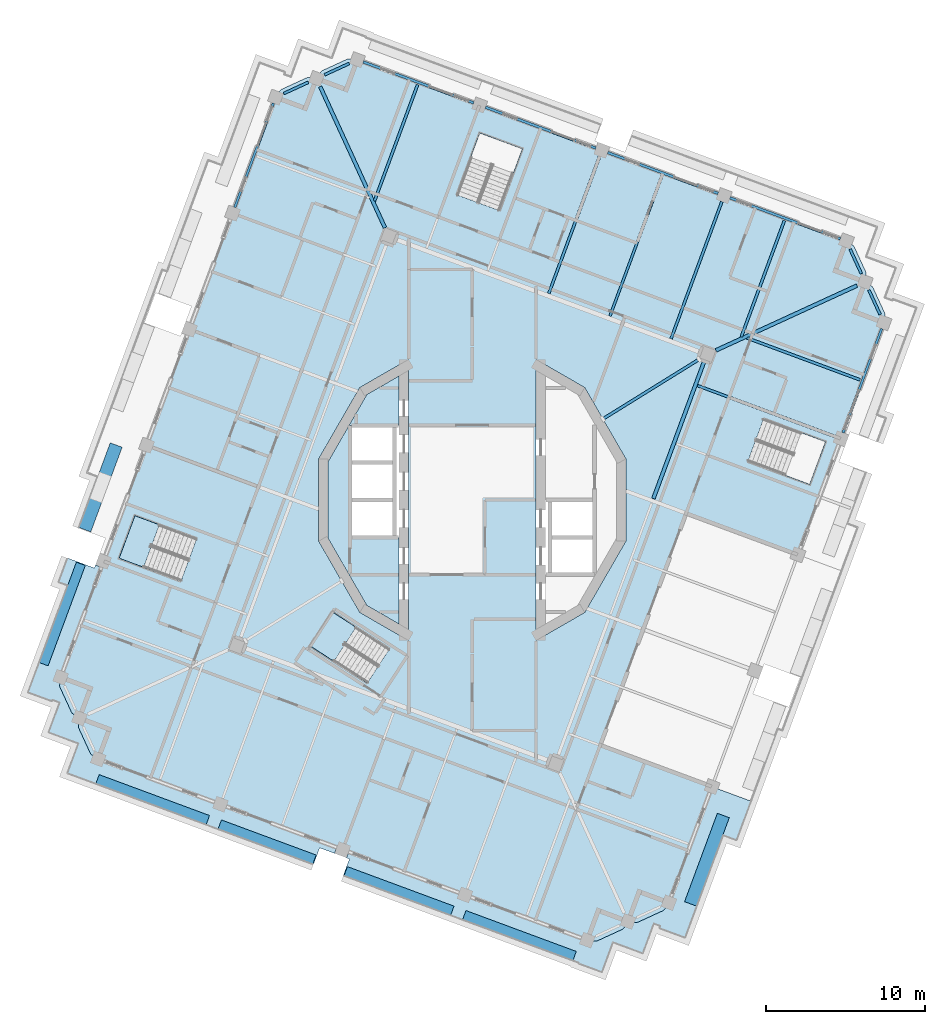
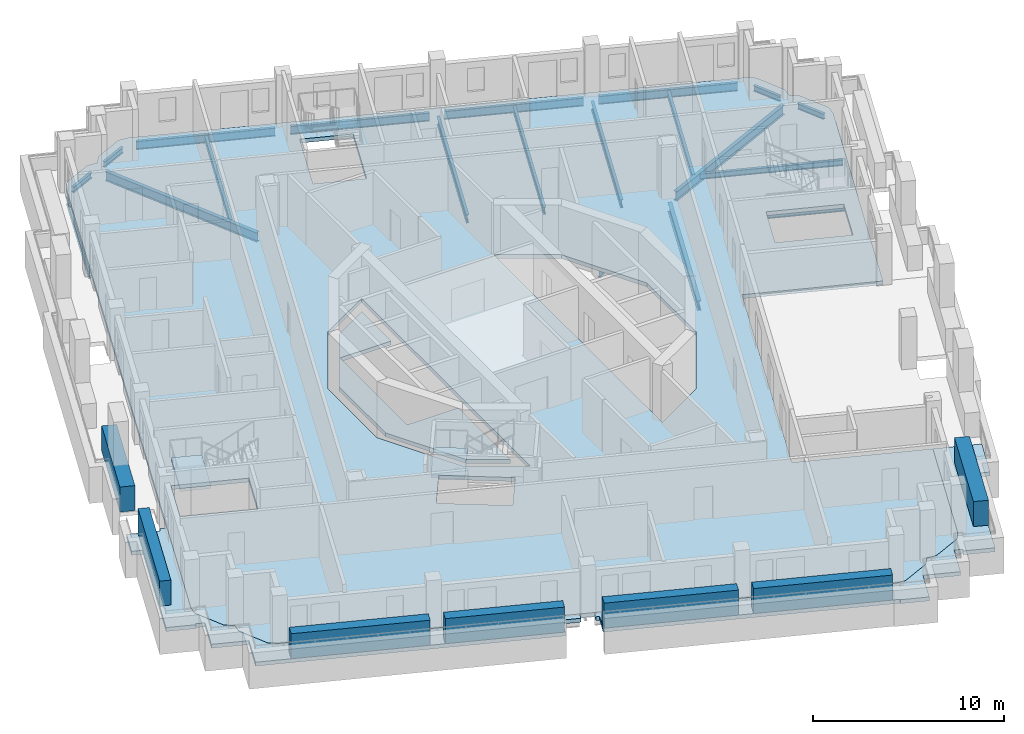
# One storey, part 2 of 19: 21 beams, 7 plates, 6 slabs, 2 elements without a shape of their own.
"""IFC4 building model written with IfcOpenShell, lengths in metres."""

from ifc_helpers import new_model, si_unit, direction, frame, origin, origin_2d, place, context, subcontext, project, spatial, polyline, rectangle, i_section, outline, extrude, material, layer, layer_set, material_profile, profile_set, type_object, element, aggregate, save


model = new_model("IFC4")

# Units and contexts
model_context = context("Model", 3, precision=1e-05, world=origin(), true_north=direction((0.0, 1.0)))
body_context = subcontext(model_context, "Body", "Model", "MODEL_VIEW")
ifc_project = project(units=[si_unit("LENGTHUNIT", "METRE"), si_unit("AREAUNIT", "SQUARE_METRE"), si_unit("VOLUMEUNIT", "CUBIC_METRE"), si_unit("PLANEANGLEUNIT", "RADIAN"), si_unit("MASSUNIT", "GRAM", prefix="KILO")], contexts=[model_context])

# Site, building, storey
site_placement = place(None, origin())
site = spatial("IfcSite", under=ifc_project, at=site_placement, CompositionType="ELEMENT")
building_placement = place(site_placement, origin())
building = spatial("IfcBuilding", under=site, at=building_placement, Name="Cantera Rosa Tower", CompositionType="ELEMENT")
storey_placement = place(building_placement, frame((0.0, 0.0, 327.699951171875)))
storey = spatial("IfcBuildingStorey", under=building, at=storey_placement, Name="L73", CompositionType="ELEMENT", Elevation=327.699951171875)

# Beams
ifc_material_1 = material(Name="Steel ASTM A992 (Fy 345 MPa)", Category="steel")
ifc_material_profile_1 = material_profile(ifc_material_1, i_section(OverallWidth=0.177978515625, OverallDepth=0.406005859375, WebThickness=0.0078125, FlangeThickness=0.0126953125, FilletRadius=0.01025390625, at=origin_2d()), Name="W410X60")
ifc_profile_set_1 = profile_set([ifc_material_profile_1], Name="Steel ASTM A992 (Fy 345 MPa)")
beam_type_1 = type_object("IfcBeamType", Name="STEEL BEAM W410X60", PredefinedType="BEAM", material=ifc_profile_set_1)
beam_1_placement = place(storey_placement, frame((14.262451171875, 8.84521484375, -0.452880859375), z_axis=(-0.849840939707, -0.527039255841, 0.0), x_axis=(0.527039255841, -0.849840939707, 0.0)))
element("IfcBeam", 1, at=beam_1_placement, inside=storey, type_object=beam_type_1, Name="PG-Z6-02 L73", PredefinedType="BEAM", context=body_context, shape_type="SweptSolid", body=[
    extrude(i_section(OverallWidth=0.177978515625, OverallDepth=0.406005859375, WebThickness=0.0078125, FlangeThickness=0.0126953125, FilletRadius=0.01025390625, at=origin_2d()), origin(), (0.0, 0.0, 1.0), 7.118408203125),
])
ifc_material_2 = material(Name="Steel ASTM A992 (Fy 345 MPa)", Category="steel")
ifc_material_profile_2 = material_profile(ifc_material_2, i_section(OverallWidth=0.166015625, OverallDepth=0.528076171875, WebThickness=0.009765625, FlangeThickness=0.013671875, FilletRadius=0.0126953125, at=origin_2d()), Name="W530X74")
ifc_profile_set_2 = profile_set([ifc_material_profile_2], Name="Steel ASTM A992 (Fy 345 MPa)")
beam_type_2 = type_object("IfcBeamType", Name="STEEL BEAM W530X74", PredefinedType="BEAM", material=ifc_profile_set_2)
for number, where, z_axis, x_axis, name in (
    (2, (15.698486328125, 18.764404296875, -0.513916015625), (-0.347476838353, -0.937688566, 0.0), (0.937688566, -0.347476838353, 0.0), "G-Z6-01 L73"),
    (3, (8.009521484375, 21.61376953125, -0.513916015625), (-0.34750017104, -0.937679919337, 0.0), (0.937679919337, -0.34750017104, 0.0), "G-Z6-02 L73"),
    (4, (22.808837890625, 3.9931640625, -0.513916015625), (-0.937688566, 0.347476838353, 0.0), (-0.347476838353, -0.937688566, 0.0), "G-Z6-11 L73"),
):
    element("IfcBeam", number, at=place(storey_placement, frame(where, z_axis=z_axis, x_axis=x_axis)), inside=storey, type_object=beam_type_2, Name=name, PredefinedType="BEAM", context=body_context, shape_type="SweptSolid", body=[
        extrude(i_section(OverallWidth=0.166015625, OverallDepth=0.528076171875, WebThickness=0.009765625, FlangeThickness=0.013671875, FilletRadius=0.0126953125, at=origin_2d()), origin(), (0.0, 0.0, 1.0), 9.199951171875),
    ])
ifc_material_3 = material(Name="Steel ASTM A992 (Fy 345 MPa)", Category="steel")
ifc_material_profile_3 = material_profile(ifc_material_3, i_section(OverallWidth=0.22802734375, OverallDepth=0.60205078125, WebThickness=0.010498046875, FlangeThickness=0.014892578125, FilletRadius=0.0126953125, at=origin_2d()), Name="W610X101")
ifc_profile_set_3 = profile_set([ifc_material_profile_3], Name="Steel ASTM A992 (Fy 345 MPa)")
beam_type_3 = type_object("IfcBeamType", Name="STEEL BEAM W610X101", PredefinedType="BEAM", material=ifc_profile_set_3)
for number, where, z_axis, x_axis, name in (
    (5, (-9.56396484375, 25.992919921875, -0.551025390625), (0.417345508131, -0.908747889595, 0.0), (0.908747889595, 0.417345508131, 0.0), "CB-Z6-01 L73"),
    (6, (24.19287109375, 13.483642578125, -0.551025390625), (-0.908747889595, -0.417345508131, 0.0), (0.417345508131, -0.908747889595, 0.0), "CB-Z6-04 L73"),
):
    element("IfcBeam", number, at=place(storey_placement, frame(where, z_axis=z_axis, x_axis=x_axis)), inside=storey, type_object=beam_type_3, Name=name, PredefinedType="BEAM", context=body_context, shape_type="SweptSolid", body=[
        extrude(i_section(OverallWidth=0.22802734375, OverallDepth=0.60205078125, WebThickness=0.010498046875, FlangeThickness=0.014892578125, FilletRadius=0.0126953125, at=origin_2d()), origin(), (0.0, 0.0, 1.0), 9.758056640625),
    ])
beam_2_placement = place(storey_placement, frame((11.39013671875, 0.087646484375, -0.551025390625), z_axis=(0.347498244979, 0.937680633125, 0.0), x_axis=(-0.937680633125, 0.347498244979, 0.0)))
element("IfcBeam", 7, at=beam_2_placement, inside=storey, type_object=beam_type_3, Name="RB-Z6-06 L73", PredefinedType="BEAM", context=body_context, shape_type="SweptSolid", body=[
    extrude(i_section(OverallWidth=0.22802734375, OverallDepth=0.60205078125, WebThickness=0.010498046875, FlangeThickness=0.014892578125, FilletRadius=0.0126953125, at=origin_2d()), origin(), (0.0, 0.0, 1.0), 9.2099609375),
])
ifc_material_4 = material(Name="Steel ASTM A992 (Fy 345 MPa)", Category="steel")
ifc_material_profile_4 = material_profile(ifc_material_4, i_section(OverallWidth=0.1708984375, OverallDepth=0.35595703125, WebThickness=0.00732421875, FlangeThickness=0.01171875, FilletRadius=0.010009765625, at=origin_2d()), Name="W360X51")
ifc_profile_set_4 = profile_set([ifc_material_profile_4], Name="Steel ASTM A992 (Fy 345 MPa)")
beam_type_4 = type_object("IfcBeamType", Name="STEEL JOIST W360X51", PredefinedType="JOIST", material=ifc_profile_set_4)
for number, where, z_axis, x_axis, name in (
    (8, (19.6298828125, 17.573974609375, -0.427978515625), (-0.347491728417, -0.937683048093, 0.0), (0.937683048093, -0.347491728417, 0.0), "B-Z6-01 L73"),
    (9, (-3.437255859375, 26.1220703125, -0.427978515625), (-0.347491728417, -0.937683048093, 0.0), (0.937683048093, -0.347491728417, 0.0), "B-Z6-04 L73"),
):
    element("IfcBeam", number, at=place(storey_placement, frame(where, z_axis=z_axis, x_axis=x_axis)), inside=storey, type_object=beam_type_4, Name=name, PredefinedType="JOIST", context=body_context, shape_type="SweptSolid", body=[
        extrude(i_section(OverallWidth=0.1708984375, OverallDepth=0.35595703125, WebThickness=0.00732421875, FlangeThickness=0.01171875, FilletRadius=0.010009765625, at=origin_2d()), origin(), (0.0, 0.0, 1.0), 7.800048828125),
    ])
beam_3_placement = place(storey_placement, frame((24.39501953125, 7.553955078125, -0.427978515625), z_axis=(-0.937686277131, 0.347483014951, 0.0), x_axis=(-0.347483014951, -0.937686277131, 0.0)))
element("IfcBeam", 10, at=beam_3_placement, inside=storey, type_object=beam_type_4, Name="B-Z6-14 L73", PredefinedType="JOIST", context=body_context, shape_type="SweptSolid", body=[
    extrude(i_section(OverallWidth=0.1708984375, OverallDepth=0.35595703125, WebThickness=0.00732421875, FlangeThickness=0.01171875, FilletRadius=0.010009765625, at=origin_2d()), origin(), (0.0, 0.0, 1.0), 7.590087890625),
])
ifc_material_5 = material(Name="Steel ASTM A992 (Fy 345 MPa)", Category="steel")
ifc_material_profile_5 = material_profile(ifc_material_5, i_section(OverallWidth=0.154052734375, OverallDepth=0.4599609375, WebThickness=0.009033203125, FlangeThickness=0.015380859375, FilletRadius=0.01025390625, at=origin_2d()), Name="W460X68")
ifc_profile_set_5 = profile_set([ifc_material_profile_5], Name="Steel ASTM A992 (Fy 345 MPa)")
beam_type_5 = type_object("IfcBeamType", Name="STEEL JOIST W460X68", PredefinedType="JOIST", material=ifc_profile_set_5)
beam_4_placement = place(storey_placement, frame((11.94091796875, 20.42333984375, -0.47998046875), z_axis=(-0.347482637031, -0.937686417179, 0.0), x_axis=(0.937686417179, -0.347482637031, 0.0)))
element("IfcBeam", 11, at=beam_4_placement, inside=storey, type_object=beam_type_5, Name="B-Z6-02 L73", PredefinedType="JOIST", context=body_context, shape_type="SweptSolid", body=[
    extrude(i_section(OverallWidth=0.154052734375, OverallDepth=0.4599609375, WebThickness=0.009033203125, FlangeThickness=0.015380859375, FilletRadius=0.01025390625, at=origin_2d()), origin(), (0.0, 0.0, 1.0), 9.449951171875),
])
ifc_material_6 = material(Name="Steel ASTM A992 (Fy 345 MPa)", Category="steel")
ifc_material_profile_6 = material_profile(ifc_material_6, i_section(OverallWidth=0.1708984375, OverallDepth=0.35595703125, WebThickness=0.00732421875, FlangeThickness=0.01171875, FilletRadius=0.010009765625, at=origin_2d()), Name="W360X51")
ifc_profile_set_6 = profile_set([ifc_material_profile_6], Name="Steel ASTM A992 (Fy 345 MPa)")
beam_type_6 = type_object("IfcBeamType", Name="STEEL SPANDREL BEAM W360X51", PredefinedType="SPANDREL", material=ifc_profile_set_6)
for number, where, z_axis, x_axis, name in (
    (12, (-7.74365234375, 27.451416015625, -0.427978515625), (-0.908753529973, -0.417333226286, 0.0), (0.417333226286, -0.908753529973, 0.0), "EB-Z6-05 L73"),
    (13, (-10.31396484375, 26.27099609375, -0.427978515625), (-0.908753529973, -0.417333226286, 0.0), (0.417333226286, -0.908753529973, 0.0), "EB-Z6-06 L73"),
):
    element("IfcBeam", number, at=place(storey_placement, frame(where, z_axis=z_axis, x_axis=x_axis)), inside=storey, type_object=beam_type_6, Name=name, PredefinedType="SPANDREL", context=body_context, shape_type="SweptSolid", body=[
        extrude(i_section(OverallWidth=0.1708984375, OverallDepth=0.35595703125, WebThickness=0.00732421875, FlangeThickness=0.01171875, FilletRadius=0.010009765625, at=origin_2d()), origin(), (0.0, 0.0, 1.0), 1.697021484375),
    ])
for number, where, z_axis, x_axis, name in (
    (14, (25.651123046875, 11.66357421875, -0.427978515625), (-0.417268968709, 0.908783036677, 0.0), (-0.908783036677, -0.417268968709, 0.0), "EB-Z6-25 L73"),
    (15, (24.470947265625, 14.23388671875, -0.427978515625), (-0.417387791404, 0.908728469669, 0.0), (-0.908728469669, -0.417387791404, 0.0), "EB-Z6-26 L73"),
):
    element("IfcBeam", number, at=place(storey_placement, frame(where, z_axis=z_axis, x_axis=x_axis)), inside=storey, type_object=beam_type_6, Name=name, PredefinedType="SPANDREL", context=body_context, shape_type="SweptSolid", body=[
        extrude(i_section(OverallWidth=0.1708984375, OverallDepth=0.35595703125, WebThickness=0.00732421875, FlangeThickness=0.01171875, FilletRadius=0.010009765625, at=origin_2d()), origin(), (0.0, 0.0, 1.0), 1.69677734375),
    ])
ifc_material_7 = material(Name="Steel ASTM A992 (Fy 345 MPa)", Category="steel")
ifc_material_profile_7 = material_profile(ifc_material_7, i_section(OverallWidth=0.154052734375, OverallDepth=0.4599609375, WebThickness=0.009033203125, FlangeThickness=0.015380859375, FilletRadius=0.01025390625, at=origin_2d()), Name="W460X68")
ifc_profile_set_7 = profile_set([ifc_material_profile_7], Name="Steel ASTM A992 (Fy 345 MPa)")
beam_type_7 = type_object("IfcBeamType", Name="STEEL SPANDREL BEAM W460X68", PredefinedType="SPANDREL", material=ifc_profile_set_7)
beam_5_placement = place(storey_placement, frame((-12.50927734375, 24.95166015625, -0.47998046875), z_axis=(-0.347490919506, -0.937683347864, 0.0), x_axis=(0.937683347864, -0.347490919506, 0.0)))
element("IfcBeam", 16, at=beam_5_placement, inside=storey, type_object=beam_type_7, Name="EB-Z6-07 L73", PredefinedType="SPANDREL", context=body_context, shape_type="SweptSolid", body=[
    extrude(i_section(OverallWidth=0.154052734375, OverallDepth=0.4599609375, WebThickness=0.009033203125, FlangeThickness=0.015380859375, FilletRadius=0.01025390625, at=origin_2d()), origin(), (0.0, 0.0, 1.0), 6.980224609375),
])
beam_6_placement = place(storey_placement, frame((23.322998046875, 4.229248046875, -0.47998046875), z_axis=(0.347460165909, 0.937694744097, 0.0), x_axis=(-0.937694744097, 0.347460165909, 0.0)))
element("IfcBeam", 17, at=beam_6_placement, inside=storey, type_object=beam_type_7, Name="EB-Z6-24 L73", PredefinedType="SPANDREL", context=body_context, shape_type="SweptSolid", body=[
    extrude(i_section(OverallWidth=0.154052734375, OverallDepth=0.4599609375, WebThickness=0.009033203125, FlangeThickness=0.015380859375, FilletRadius=0.01025390625, at=origin_2d()), origin(), (0.0, 0.0, 1.0), 6.97998046875),
])
ifc_material_8 = material(Name="Steel ASTM A992 (Fy 345 MPa)", Category="steel")
ifc_material_profile_8 = material_profile(ifc_material_8, i_section(OverallWidth=0.166015625, OverallDepth=0.528076171875, WebThickness=0.009765625, FlangeThickness=0.013671875, FilletRadius=0.0126953125, at=origin_2d()), Name="W530X74")
ifc_profile_set_8 = profile_set([ifc_material_profile_8], Name="Steel ASTM A992 (Fy 345 MPa)")
beam_type_8 = type_object("IfcBeamType", Name="STEEL SPANDREL BEAM W530X74", PredefinedType="SPANDREL", material=ifc_profile_set_8)
beam_7_placement = place(storey_placement, frame((23.1513671875, 16.428955078125, -0.513916015625), z_axis=(-0.937676706507, 0.347508840281, 0.0), x_axis=(-0.347508840281, -0.937676706507, 0.0)))
element("IfcBeam", 18, at=beam_7_placement, inside=storey, type_object=beam_type_8, Name="EB-Z6-01 L73", PredefinedType="SPANDREL", context=body_context, shape_type="SweptSolid", body=[
    extrude(i_section(OverallWidth=0.166015625, OverallDepth=0.528076171875, WebThickness=0.009765625, FlangeThickness=0.013671875, FilletRadius=0.0126953125, at=origin_2d()), origin(), (0.0, 0.0, 1.0), 7.39990234375),
])
for number, where, z_axis, x_axis, name in (
    (19, (15.46240234375, 19.2783203125, -0.513916015625), (-0.937680690562, 0.34749808999, 0.0), (-0.34749808999, -0.937680690562, 0.0), "EB-Z6-02 L73"),
    (20, (7.7734375, 22.127685546875, -0.513916015625), (-0.937680690562, 0.34749808999, 0.0), (-0.34749808999, -0.937680690562, 0.0), "EB-Z6-03 L73"),
):
    element("IfcBeam", number, at=place(storey_placement, frame(where, z_axis=z_axis, x_axis=x_axis)), inside=storey, type_object=beam_type_8, Name=name, PredefinedType="SPANDREL", context=body_context, shape_type="SweptSolid", body=[
        extrude(i_section(OverallWidth=0.166015625, OverallDepth=0.528076171875, WebThickness=0.009765625, FlangeThickness=0.013671875, FilletRadius=0.0126953125, at=origin_2d()), origin(), (0.0, 0.0, 1.0), 7.400146484375),
    ])
beam_8_placement = place(storey_placement, frame((0.084228515625, 24.97705078125, -0.513916015625), z_axis=(-0.937687456783, 0.347479831633, 0.0), x_axis=(-0.347479831633, -0.937687456783, 0.0)))
element("IfcBeam", 21, at=beam_8_placement, inside=storey, type_object=beam_type_8, Name="EB-Z6-04 L73", PredefinedType="SPANDREL", context=body_context, shape_type="SweptSolid", body=[
    extrude(i_section(OverallWidth=0.166015625, OverallDepth=0.528076171875, WebThickness=0.009765625, FlangeThickness=0.013671875, FilletRadius=0.0126953125, at=origin_2d()), origin(), (0.0, 0.0, 1.0), 7.39990234375),
])

# Slabs
ifc_material_9 = material(Name="Concrete C35/45", Category="concrete")
ifc_layer_1 = layer(ifc_material_9, 0.25)
ifc_layer_set_1 = layer_set([ifc_layer_1], Name="COMPOSITE FLOOR SLAB 250 C35/45")
slab_type_1 = type_object("IfcSlabType", Name="COMPOSITE FLOOR SLAB 250 C35/45", PredefinedType="FLOOR", material=ifc_layer_set_1)
slab_1_placement = place(storey_placement, frame((0.0, 0.0, -0.25)))
element("IfcSlab", 22, at=slab_1_placement, inside=storey, type_object=slab_type_1, Name="SLAB L73 floor 1", PredefinedType="FLOOR", context=body_context, shape_type="SweptSolid", body=[
    extrude(outline(polyline([(-4.60009765625, -7.804931640625), (-6.6318359375, -6.6318359375), (-9.059326171875, -2.427490234375), (-9.059326171875, 2.427490234375), (-6.6318359375, 6.6318359375), (-4.60009765625, 7.804931640625), (-4.60009765625, 4.699951171875), (-7.699951171875, 4.699951171875), (-7.699951171875, 2.35009765625), (-7.699951171875, 0.0), (-7.699951171875, -2.35009765625), (-4.60009765625, -2.35009765625), (-4.60009765625, -7.804931640625)])), origin(), (0.0, 0.0, 1.0), 0.25),
])
slab_2_placement = place(storey_placement, frame((0.0, 0.0, -0.25)))
element("IfcSlab", 23, at=slab_2_placement, inside=storey, type_object=slab_type_1, Name="SLAB L73 floor 2", PredefinedType="FLOOR", context=body_context, shape_type="SweptSolid", body=[
    extrude(outline(polyline([(-23.944091796875, -16.014892578125), (-23.966552734375, -15.99609375), (-23.987060546875, -15.974853515625), (-24.005615234375, -15.951904296875), (-24.021484375, -15.92724609375), (-24.03515625, -15.901123046875), (-24.743408203125, -14.35888671875), (-24.75439453125, -14.331787109375), (-24.7626953125, -14.303466796875), (-24.76806640625, -14.2744140625), (-24.7705078125, -14.2451171875), (-24.770263671875, -14.2158203125), (-24.76708984375, -14.186279296875), (-24.706787109375, -13.7197265625), (-25.10009765625, -13.461181640625), (-25.12451171875, -13.444580078125), (-25.14697265625, -13.42578125), (-25.16748046875, -13.404541015625), (-25.18603515625, -13.381591796875), (-25.201904296875, -13.35693359375), (-25.215576171875, -13.330810546875), (-25.923828125, -11.788818359375), (-25.934814453125, -11.76123046875), (-25.943115234375, -11.733154296875), (-25.948486328125, -11.7041015625), (-25.950927734375, -11.6748046875), (-25.95068359375, -11.6455078125), (-25.947509765625, -11.6162109375), (-25.88720703125, -11.1494140625), (-12.733154296875, 24.347412109375), (-12.370361328125, 25.32666015625), (-12.11181640625, 25.7197265625), (-12.09521484375, 25.744140625), (-12.076171875, 25.7666015625), (-12.05517578125, 25.787353515625), (-12.0322265625, 25.8056640625), (-12.007568359375, 25.82177734375), (-11.9814453125, 25.835205078125), (-10.439208984375, 26.543701171875), (-10.411865234375, 26.554443359375), (-10.383544921875, 26.562744140625), (-10.354736328125, 26.568115234375), (-10.325439453125, 26.57080078125), (-10.2958984375, 26.5703125), (-10.2666015625, 26.567138671875), (-9.800048828125, 26.507080078125), (-9.54150390625, 26.900146484375), (-9.52490234375, 26.924560546875), (-9.505859375, 26.947021484375), (-9.48486328125, 26.9677734375), (-9.4619140625, 26.986083984375), (-9.437255859375, 27.002197265625), (-9.4111328125, 27.015625), (-7.868896484375, 27.72412109375), (-7.841552734375, 27.735107421875), (-7.813232421875, 27.7431640625), (-7.784423828125, 27.74853515625), (-7.7548828125, 27.751220703125), (-7.7255859375, 27.750732421875), (-7.6962890625, 27.74755859375), (-7.2294921875, 27.6875), (-6.25048828125, 27.32470703125), (23.526611328125, 16.2900390625), (23.919677734375, 16.031494140625), (23.944091796875, 16.014892578125), (23.966552734375, 15.99609375), (23.987060546875, 15.974853515625), (24.005615234375, 15.951904296875), (24.021484375, 15.92724609375), (24.03515625, 15.901123046875), (24.743408203125, 14.35888671875), (24.75439453125, 14.331787109375), (24.7626953125, 14.303466796875), (24.76806640625, 14.2744140625), (24.7705078125, 14.2451171875), (24.770263671875, 14.2158203125), (24.76708984375, 14.186279296875), (24.706787109375, 13.7197265625), (25.10009765625, 13.461181640625), (25.12451171875, 13.444580078125), (25.14697265625, 13.42578125), (25.16748046875, 13.404541015625), (25.18603515625, 13.381591796875), (25.201904296875, 13.35693359375), (25.215576171875, 13.330810546875), (25.923828125, 11.788818359375), (25.934814453125, 11.76123046875), (25.943115234375, 11.733154296875), (25.948486328125, 11.7041015625), (25.950927734375, 11.6748046875), (25.95068359375, 11.6455078125), (25.947509765625, 11.6162109375), (25.88720703125, 11.1494140625), (20.48046875, -3.44091796875), (13.447998046875, -0.8349609375), (8.041015625, -15.42529296875), (15.07373046875, -18.031494140625), (12.733154296875, -24.347412109375), (12.370361328125, -25.32666015625), (12.11181640625, -25.7197265625), (12.09521484375, -25.744140625), (12.076171875, -25.7666015625), (12.05517578125, -25.787353515625), (12.0322265625, -25.8056640625), (12.007568359375, -25.82177734375), (11.9814453125, -25.835205078125), (10.439208984375, -26.543701171875), (10.411865234375, -26.554443359375), (10.383544921875, -26.562744140625), (10.354736328125, -26.568115234375), (10.325439453125, -26.57080078125), (10.2958984375, -26.5703125), (10.2666015625, -26.567138671875), (9.800048828125, -26.507080078125), (9.54150390625, -26.900146484375), (9.52490234375, -26.924560546875), (9.505859375, -26.947021484375), (9.48486328125, -26.9677734375), (9.4619140625, -26.986083984375), (9.437255859375, -27.002197265625), (9.4111328125, -27.015625), (7.868896484375, -27.72412109375), (7.841552734375, -27.735107421875), (7.813232421875, -27.7431640625), (7.784423828125, -27.74853515625), (7.7548828125, -27.751220703125), (7.7255859375, -27.750732421875), (7.6962890625, -27.74755859375), (7.2294921875, -27.6875), (6.25048828125, -27.32470703125), (-23.526611328125, -16.2900390625), (-23.919677734375, -16.031494140625), (-23.944091796875, -16.014892578125)]), holes=[polyline([(-6.6044921875, -11.507080078125), (-5.2158203125, -9.368408203125), (-8.581298828125, -7.1826171875), (-9.97021484375, -9.3212890625), (-6.6044921875, -11.507080078125)]), polyline([(-18.325927734375, -5.099853515625), (-17.335693359375, -2.427490234375), (-21.2158203125, -0.989501953125), (-22.206298828125, -3.662109375), (-18.325927734375, -5.099853515625)]), polyline([(-9.6591796875, -2.588134765625), (-7.071044921875, -7.071044921875), (-4.0, -8.843994140625), (-4.0, 8.843994140625), (-7.071044921875, 7.071044921875), (-9.6591796875, 2.588134765625), (-9.6591796875, -2.588134765625)]), polyline([(7.071044921875, 7.071044921875), (4.0, 8.843994140625), (4.0, -8.843994140625), (7.071044921875, -7.071044921875), (9.6591796875, -2.588134765625), (9.6591796875, 2.588134765625), (7.071044921875, 7.071044921875)]), polyline([(22.206298828125, 3.662109375), (18.325927734375, 5.099853515625), (17.335693359375, 2.427490234375), (21.2158203125, 0.989501953125), (22.206298828125, 3.662109375)]), polyline([(0.47216796875, 23.07373046875), (-0.9658203125, 19.193603515625), (1.70654296875, 18.203369140625), (3.14453125, 22.08349609375), (0.47216796875, 23.07373046875)])]), origin(), (0.0, 0.0, 1.0), 0.25),
])
ifc_material_10 = material(Name="Concrete C35/45", Category="concrete")
ifc_layer_2 = layer(ifc_material_10, 0.25)
ifc_layer_set_2 = layer_set([ifc_layer_2], Name="LOGGIA SLAB 250 C35/45")
slab_type_2 = type_object("IfcSlabType", Name="LOGGIA SLAB 250 C35/45", PredefinedType="FLOOR", material=ifc_layer_set_2)
slab_3_placement = place(storey_placement, frame((0.0, 0.0, -0.25)))
element("IfcSlab", 24, at=slab_3_placement, inside=storey, type_object=slab_type_2, Name="LOGGIA SLAB L73 1", PredefinedType="FLOOR", context=body_context, shape_type="SweptSolid", body=[
    extrude(outline(polyline([(-25.454345703125, -17.17529296875), (-24.93310546875, -15.768798828125), (-24.75927734375, -15.300048828125), (-25.22802734375, -15.126220703125), (-26.634765625, -14.60498046875), (-26.11328125, -13.198486328125), (-25.939697265625, -12.729736328125), (-26.408447265625, -12.555908203125), (-26.439697265625, -12.639892578125), (-27.930419921875, -12.087646484375), (-25.439208984375, -5.364990234375), (-26.01171875, -5.15283203125), (-25.45556640625, -3.652099609375), (-23.767578125, -4.27783203125), (-23.697998046875, -4.09033203125), (-23.322998046875, -4.229248046875), (-25.88720703125, -11.1494140625), (-25.947509765625, -11.6162109375), (-25.95068359375, -11.6455078125), (-25.950927734375, -11.6748046875), (-25.948486328125, -11.7041015625), (-25.943115234375, -11.733154296875), (-25.934814453125, -11.76123046875), (-25.923828125, -11.788818359375), (-25.215576171875, -13.330810546875), (-25.201904296875, -13.35693359375), (-25.18603515625, -13.381591796875), (-25.16748046875, -13.404541015625), (-25.14697265625, -13.42578125), (-25.12451171875, -13.444580078125), (-25.10009765625, -13.461181640625), (-24.706787109375, -13.7197265625), (-24.76708984375, -14.186279296875), (-24.770263671875, -14.2158203125), (-24.7705078125, -14.2451171875), (-24.76806640625, -14.2744140625), (-24.7626953125, -14.303466796875), (-24.75439453125, -14.331787109375), (-24.743408203125, -14.35888671875), (-24.03515625, -15.901123046875), (-24.021484375, -15.92724609375), (-24.005615234375, -15.951904296875), (-23.987060546875, -15.974853515625), (-23.966552734375, -15.99609375), (-23.944091796875, -16.014892578125), (-23.919677734375, -16.031494140625), (-23.526611328125, -16.2900390625), (-8.5234375, -21.849853515625), (-8.66259765625, -22.224853515625), (-9.60009765625, -21.87744140625), (-9.982421875, -22.90869140625), (-10.076171875, -22.8740234375), (-14.9521484375, -21.067138671875), (-17.76513671875, -20.024658203125), (-24.047607421875, -17.696533203125), (-25.454345703125, -17.17529296875)])), origin(), (0.0, 0.0, 1.0), 0.25),
])
slab_4_placement = place(storey_placement, frame((0.0, 0.0, -0.25)))
element("IfcSlab", 25, at=slab_4_placement, inside=storey, type_object=slab_type_2, Name="LOGGIA SLAB L73 3", PredefinedType="FLOOR", context=body_context, shape_type="SweptSolid", body=[
    extrude(outline(polyline([(11.4072265625, -26.618408203125), (11.24951171875, -27.044189453125), (10.71240234375, -28.49365234375), (9.2626953125, -27.95654296875), (8.8369140625, -27.798583984375), (8.14208984375, -29.674072265625), (6.6923828125, -29.136962890625), (6.70849609375, -29.093994140625), (0.42578125, -26.765869140625), (-2.38720703125, -25.723388671875), (-7.26318359375, -23.91650390625), (-8.10693359375, -23.603759765625), (-7.724853515625, -22.572265625), (-7.912353515625, -22.502685546875), (-7.7734375, -22.127685546875), (6.25048828125, -27.32470703125), (7.2294921875, -27.6875), (7.6962890625, -27.74755859375), (7.7255859375, -27.750732421875), (7.7548828125, -27.751220703125), (7.784423828125, -27.74853515625), (7.813232421875, -27.7431640625), (7.841552734375, -27.735107421875), (7.868896484375, -27.72412109375), (9.4111328125, -27.015625), (9.437255859375, -27.002197265625), (9.4619140625, -26.986083984375), (9.48486328125, -26.9677734375), (9.505859375, -26.947021484375), (9.52490234375, -26.924560546875), (9.54150390625, -26.900146484375), (9.800048828125, -26.507080078125), (10.2666015625, -26.567138671875), (10.2958984375, -26.5703125), (10.325439453125, -26.57080078125), (10.354736328125, -26.568115234375), (10.383544921875, -26.562744140625), (10.411865234375, -26.554443359375), (10.439208984375, -26.543701171875), (11.9814453125, -25.835205078125), (12.007568359375, -25.82177734375), (12.0322265625, -25.8056640625), (12.05517578125, -25.787353515625), (12.076171875, -25.7666015625), (12.09521484375, -25.744140625), (12.11181640625, -25.7197265625), (12.370361328125, -25.32666015625), (12.733154296875, -24.347412109375), (15.07373046875, -18.031494140625), (17.516845703125, -18.936767578125), (16.611328125, -21.3798828125), (15.762451171875, -21.065185546875), (13.373779296875, -27.511474609375), (11.779541015625, -26.920654296875), (11.833251953125, -26.776123046875), (11.4072265625, -26.618408203125)])), origin(), (0.0, 0.0, 1.0), 0.25),
])

# Plates
ifc_material_11 = material(Name="Cantera stone planter with soil", Category="masonry")
plate_type_1 = type_object("IfcPlateType", Name="PLANTER 600", PredefinedType="USERDEFINED", material=ifc_material_11)
plate_1_placement = place(storey_placement, frame((-25.788330078125, -7.1708984375, 0.0), z_axis=(0.0, 0.0, 1.0), x_axis=(-0.347481234489, -0.937686936924, 0.0)))
element("IfcPlate", 26, at=plate_1_placement, inside=storey, type_object=plate_type_1, Name="PLANTER L73-09", ObjectType="PLANTER", PredefinedType="USERDEFINED", context=body_context, shape_type="SweptSolid", body=[
    extrude(rectangle(XDim=6.72998046875, YDim=0.60009765625, at=origin_2d()), origin(), (0.0, 0.0, 1.0), 1.60009765625),
])
plate_2_placement = place(storey_placement, frame((-20.098876953125, -18.83984375, 0.0), z_axis=(0.0, 0.0, 1.0), x_axis=(0.937686936924, -0.347481234489, 0.0)))
element("IfcPlate", 27, at=plate_2_placement, inside=storey, type_object=plate_type_1, Name="PLANTER L73-10", ObjectType="PLANTER", PredefinedType="USERDEFINED", context=body_context, shape_type="SweptSolid", body=[
    extrude(rectangle(XDim=7.39990234375, YDim=0.60009765625, at=origin_2d()), origin(), (0.0, 0.0, 1.0), 1.60009765625),
])
plate_3_placement = place(storey_placement, frame((-12.902099609375, -21.5068359375, 0.0), z_axis=(0.0, 0.0, 1.0), x_axis=(0.937686936924, -0.347481234489, 0.0)))
element("IfcPlate", 28, at=plate_3_placement, inside=storey, type_object=plate_type_1, Name="PLANTER L73-11", ObjectType="PLANTER", PredefinedType="USERDEFINED", context=body_context, shape_type="SweptSolid", body=[
    extrude(rectangle(XDim=6.35009765625, YDim=0.60009765625, at=origin_2d()), origin(), (0.0, 0.0, 1.0), 1.60009765625),
])
plate_4_placement = place(storey_placement, frame((-4.603759765625, -24.58203125, 0.0), z_axis=(0.0, 0.0, 1.0), x_axis=(0.937686936924, -0.347481234489, 0.0)))
element("IfcPlate", 29, at=plate_4_placement, inside=storey, type_object=plate_type_1, Name="PLANTER L73-12", ObjectType="PLANTER", PredefinedType="USERDEFINED", context=body_context, shape_type="SweptSolid", body=[
    extrude(rectangle(XDim=7.14990234375, YDim=0.60009765625, at=origin_2d()), origin(), (0.0, 0.0, 1.0), 1.60009765625),
])
plate_5_placement = place(storey_placement, frame((2.968017578125, -27.387939453125, 0.0), z_axis=(0.0, 0.0, 1.0), x_axis=(0.937686936924, -0.347481234489, 0.0)))
element("IfcPlate", 30, at=plate_5_placement, inside=storey, type_object=plate_type_1, Name="PLANTER L73-13", ObjectType="PLANTER", PredefinedType="USERDEFINED", context=body_context, shape_type="SweptSolid", body=[
    extrude(rectangle(XDim=7.39990234375, YDim=0.60009765625, at=origin_2d()), origin(), (0.0, 0.0, 1.0), 1.60009765625),
])
ifc_material_12 = material(Name="Cantera stone planter with soil", Category="masonry")
plate_type_2 = type_object("IfcPlateType", Name="PLANTER 800", PredefinedType="USERDEFINED", material=ifc_material_12)
plate_6_placement = place(storey_placement, frame((-23.38134765625, 0.7939453125, 0.0), z_axis=(0.0, 0.0, 1.0), x_axis=(-0.347481234489, -0.937686936924, 0.0)))
element("IfcPlate", 31, at=plate_6_placement, inside=storey, type_object=plate_type_2, Name="PLANTER L73-08", ObjectType="PLANTER", PredefinedType="USERDEFINED", context=body_context, shape_type="SweptSolid", body=[
    extrude(rectangle(XDim=5.679931640625, YDim=0.800048828125, at=origin_2d()), origin(), (0.0, 0.0, 1.0), 1.60009765625),
])
plate_7_placement = place(storey_placement, frame((14.758544921875, -22.623046875, 0.0), z_axis=(0.0, 0.0, 1.0), x_axis=(0.347481234489, 0.937686936924, 0.0)))
element("IfcPlate", 32, at=plate_7_placement, inside=storey, type_object=plate_type_2, Name="PLANTER L73-14", ObjectType="PLANTER", PredefinedType="USERDEFINED", context=body_context, shape_type="SweptSolid", body=[
    extrude(rectangle(XDim=5.929931640625, YDim=0.800048828125, at=origin_2d()), origin(), (0.0, 0.0, 1.0), 1.60009765625),
])

# Stair, slab
ifc_material_13 = material(Name="Concrete C35/45", Category="concrete")
stair_type_1 = type_object("IfcStairType", Name="EXIT STAIR 1350 DOGLEG", PredefinedType="HALF_TURN_STAIR", material=ifc_material_13)
stair_1_placement = place(storey_placement, origin())
stair_1 = element("IfcStair", 33, at=stair_1_placement, inside=storey, type_object=stair_type_1, Name="L73 ST-63", PredefinedType="HALF_TURN_STAIR")
ifc_material_14 = material(Name="Concrete C35/45", Category="concrete")
ifc_layer_3 = layer(ifc_material_14, 0.199951171875)
ifc_layer_set_3 = layer_set([ifc_layer_3], Name="STAIR LANDING 200")
slab_type_3 = type_object("IfcSlabType", Name="STAIR LANDING 200", PredefinedType="LANDING", material=ifc_layer_set_3)
slab_5_placement = place(storey_placement, frame((0.0, 0.0, 1.60009765625)))
slab_5 = element("IfcSlab", 34, at=slab_5_placement, type_object=slab_type_3, Name="ST-63 landing 1", PredefinedType="LANDING", context=body_context, shape_type="SweptSolid", body=[
    extrude(outline(polyline([(-19.67626953125, -1.56005859375), (-21.2158203125, -0.989501953125), (-22.206298828125, -3.661865234375), (-20.66650390625, -4.232421875), (-19.67626953125, -1.56005859375)])), origin(), (0.0, 0.0, 1.0), 0.199951171875),
])
aggregate(stair_1, [slab_5])

ifc_material_15 = material(Name="Concrete C35/45", Category="concrete")
stair_type_2 = type_object("IfcStairType", Name="EXIT STAIR 1200 DOGLEG", PredefinedType="HALF_TURN_STAIR", material=ifc_material_15)
stair_2_placement = place(storey_placement, origin())
stair_2 = element("IfcStair", 35, at=stair_2_placement, inside=storey, type_object=stair_type_2, Name="L73 ST-64", PredefinedType="HALF_TURN_STAIR")
slab_6_placement = place(storey_placement, frame((0.0, 0.0, 1.60009765625)))
slab_6 = element("IfcSlab", 36, at=slab_6_placement, type_object=slab_type_3, Name="ST-64 landing 1", PredefinedType="LANDING", context=body_context, shape_type="SweptSolid", body=[
    extrude(outline(polyline([(-7.30908203125, -8.009033203125), (-8.81201171875, -7.032958984375), (-10.20068359375, -9.171630859375), (-8.69775390625, -10.1474609375), (-7.30908203125, -8.009033203125)])), origin(), (0.0, 0.0, 1.0), 0.199951171875),
])
aggregate(stair_2, [slab_6])

save(model, "model.ifc")
